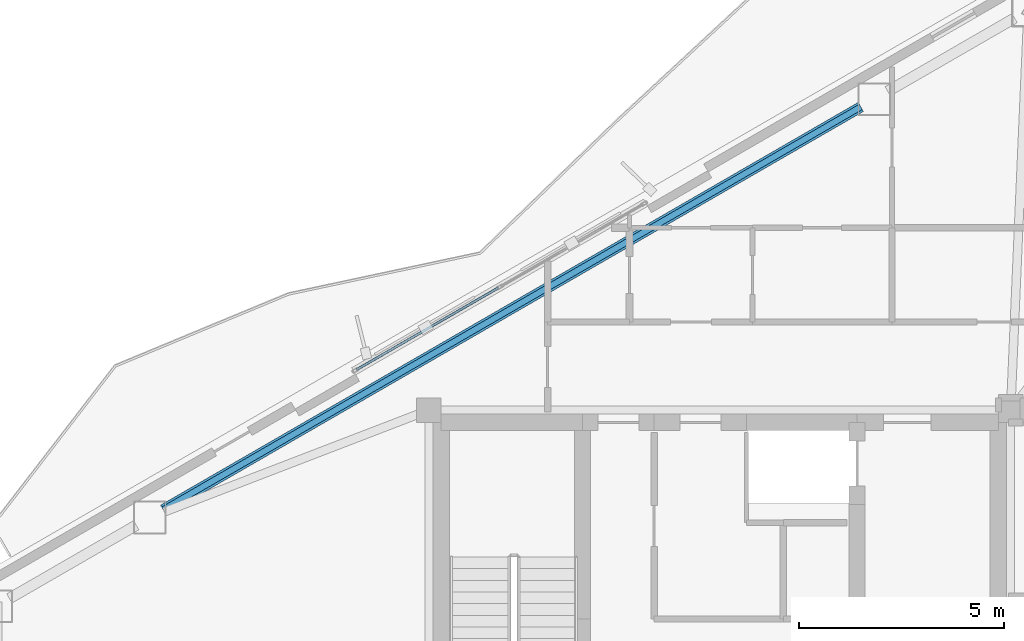
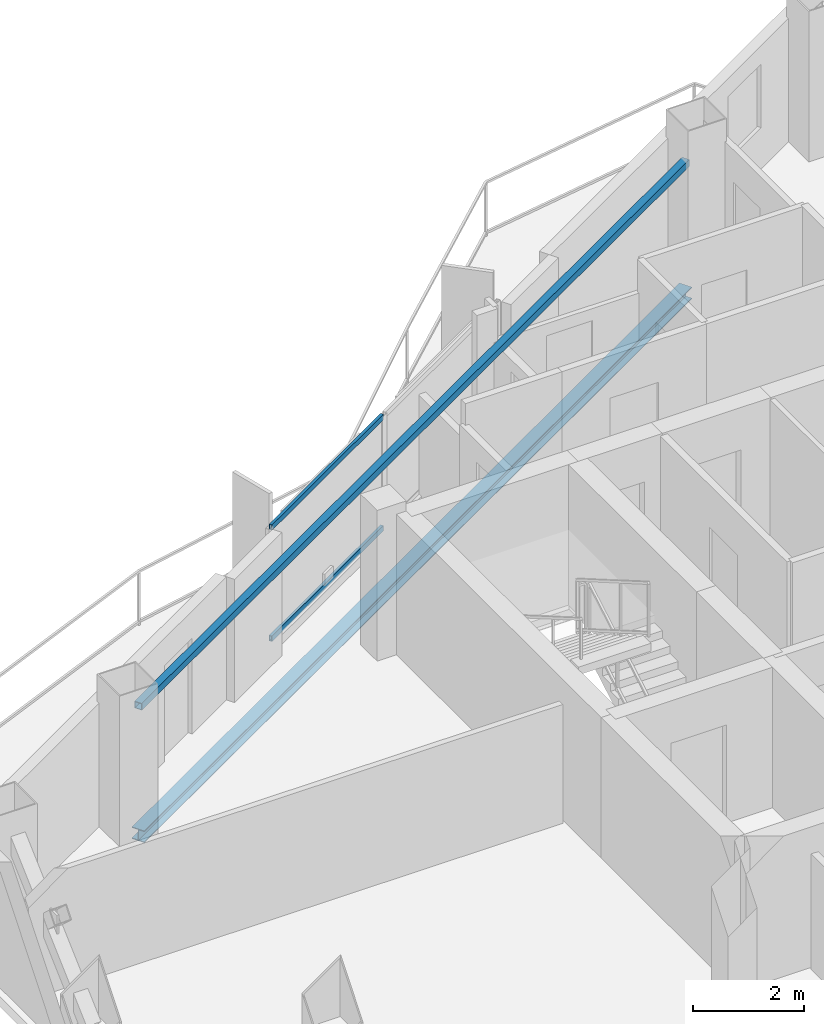
# One storey, part 9 of 18: 2 beams, 2 members, 1 element without a shape of its own.
"""IFC4 building model written with IfcOpenShell, lengths in metres."""

from ifc_helpers import new_model, si_unit, direction, frame, origin, origin_2d, place, context, subcontext, project, spatial, hollow_rectangle, i_section, extrude, material, layer, layer_set, material_profile, profile_set, type_object, element, aggregate, save


model = new_model("IFC4")

# Units and contexts
model_context = context("Model", 3, precision=1e-05, world=origin(), true_north=direction((0.0, 1.0)))
body_context = subcontext(model_context, "Body", "Model", "MODEL_VIEW")
ifc_project = project(units=[si_unit("LENGTHUNIT", "METRE"), si_unit("AREAUNIT", "SQUARE_METRE"), si_unit("VOLUMEUNIT", "CUBIC_METRE"), si_unit("PLANEANGLEUNIT", "RADIAN"), si_unit("MASSUNIT", "GRAM", prefix="KILO")], contexts=[model_context])

# Site, building, storey
site_placement = place(None, origin())
site = spatial("IfcSite", under=ifc_project, at=site_placement, CompositionType="ELEMENT")
building_placement = place(site_placement, origin())
building = spatial("IfcBuilding", under=site, at=building_placement, Name="Mersakhor Tower and Convention Hall", CompositionType="ELEMENT")
storey_placement = place(building_placement, frame((0.0, 0.0, 226.5)))
storey = spatial("IfcBuildingStorey", under=building, at=storey_placement, Name="L63", CompositionType="ELEMENT", Elevation=226.5)

# Beams
ifc_material_1 = material(Name="Steel S355", Category="steel")
ifc_material_profile_1 = material_profile(ifc_material_1, hollow_rectangle(XDim=0.14990234375, YDim=0.14990234375, WallThickness=0.010009765625, at=origin_2d()), Name="SHS 150x150x10")
ifc_profile_set_1 = profile_set([ifc_material_profile_1], Name="Steel S355")
beam_type_1 = type_object("IfcBeamType", Name="BM-GRT-SHS150", PredefinedType="USERDEFINED", material=ifc_profile_set_1)
beam_1_placement = place(storey_placement, frame((15.414794921875, 30.618408203125, 2.47998046875), z_axis=(0.866021610626, 0.500006569886, 0.0), x_axis=(-0.500006569886, 0.866021610626, 0.0)))
element("IfcBeam", 1, at=beam_1_placement, inside=storey, type_object=beam_type_1, Name="L63 Facade Support Girt GRT-F1", ObjectType="GIRT", PredefinedType="USERDEFINED", context=body_context, shape_type="SweptSolid", body=[
    extrude(hollow_rectangle(XDim=0.14990234375, YDim=0.14990234375, WallThickness=0.010009765625, at=origin_2d()), origin(), (0.0, 0.0, 1.0), 19.661865234375),
])
ifc_material_2 = material(Name="Steel S355", Category="steel")
ifc_material_profile_2 = material_profile(ifc_material_2, i_section(OverallWidth=0.25634765625, OverallDepth=0.26025390625, WebThickness=0.01025390625, FlangeThickness=0.017333984375, at=origin_2d()), Name="UC 254x254x89")
ifc_profile_set_2 = profile_set([ifc_material_profile_2], Name="Steel S355")
beam_type_2 = type_object("IfcBeamType", Name="BM-SPD-UC254", PredefinedType="SPANDREL", material=ifc_profile_set_2)
beam_2_placement = place(storey_placement, frame((15.414794921875, 30.618408203125, -0.35009765625), z_axis=(0.866021610626, 0.500006569886, 0.0), x_axis=(-0.500006569886, 0.866021610626, 0.0)))
element("IfcBeam", 2, at=beam_2_placement, inside=storey, type_object=beam_type_2, Name="L63 Perimeter Spandrel Beam SPB-02", PredefinedType="SPANDREL", context=body_context, shape_type="SweptSolid", body=[
    extrude(i_section(OverallWidth=0.25634765625, OverallDepth=0.26025390625, WebThickness=0.01025390625, FlangeThickness=0.017333984375, at=origin_2d()), origin(), (0.0, 0.0, 1.0), 19.661865234375),
])

# Curtain wall, members
ifc_material_3 = material(Name="Dark solar low-E aluminium curtain wall", Category="aluminium")
ifc_layer = layer(ifc_material_3, 0.179931640625)
ifc_layer_set = layer_set([ifc_layer], Name="Dark solar low-E aluminium curtain wall")
curtain_wall_type = type_object("IfcCurtainWallType", Name="CW-SYS-03", PredefinedType="USERDEFINED", material=ifc_layer_set)
curtain_wall_placement = place(storey_placement, origin())
curtain_wall = element("IfcCurtainWall", 3, at=curtain_wall_placement, inside=storey, type_object=curtain_wall_type, Name="L63 Dark-Glass Curtain Wall F1-B2", ObjectType="CURTAIN WALL", PredefinedType="USERDEFINED")
ifc_material_4 = material(Name="Anodised aluminium EN AW-6063 T6", Category="aluminium")
ifc_material_profile_3 = material_profile(ifc_material_4, hollow_rectangle(XDim=0.06005859375, YDim=0.1201171875, WallThickness=0.0048828125, at=origin_2d()), Name="RHS 120x60x5")
ifc_profile_set_3 = profile_set([ifc_material_profile_3], Name="Anodised aluminium EN AW-6063 T6")
member_type = type_object("IfcMemberType", Name="CWT-120x60", PredefinedType="USERDEFINED", material=ifc_profile_set_3)
member_1_placement = place(storey_placement, frame((20.130859375, 34.0341796875, 0.22998046875), z_axis=(0.866023018642, 0.500004131166, 0.0), x_axis=(-0.500004131166, 0.866023018642, 0.0)))
member_1 = element("IfcMember", 4, at=member_1_placement, type_object=member_type, Name="CW-03 transom 1.1", ObjectType="TRANSOM", PredefinedType="USERDEFINED", context=body_context, shape_type="SweptSolid", body=[
    extrude(hollow_rectangle(XDim=0.06005859375, YDim=0.1201171875, WallThickness=0.0048828125, at=origin_2d()), origin(), (0.0, 0.0, 1.0), 4.00146484375),
])
member_2_placement = place(storey_placement, frame((20.130859375, 34.0341796875, 2.669921875), z_axis=(0.866023018642, 0.500004131166, 0.0), x_axis=(-0.500004131166, 0.866023018642, 0.0)))
member_2 = element("IfcMember", 5, at=member_2_placement, type_object=member_type, Name="CW-03 transom 1.2", ObjectType="TRANSOM", PredefinedType="USERDEFINED", context=body_context, shape_type="SweptSolid", body=[
    extrude(hollow_rectangle(XDim=0.06005859375, YDim=0.1201171875, WallThickness=0.0048828125, at=origin_2d()), origin(), (0.0, 0.0, 1.0), 4.00146484375),
])
aggregate(curtain_wall, [member_1, member_2])

save(model, "model.ifc")
